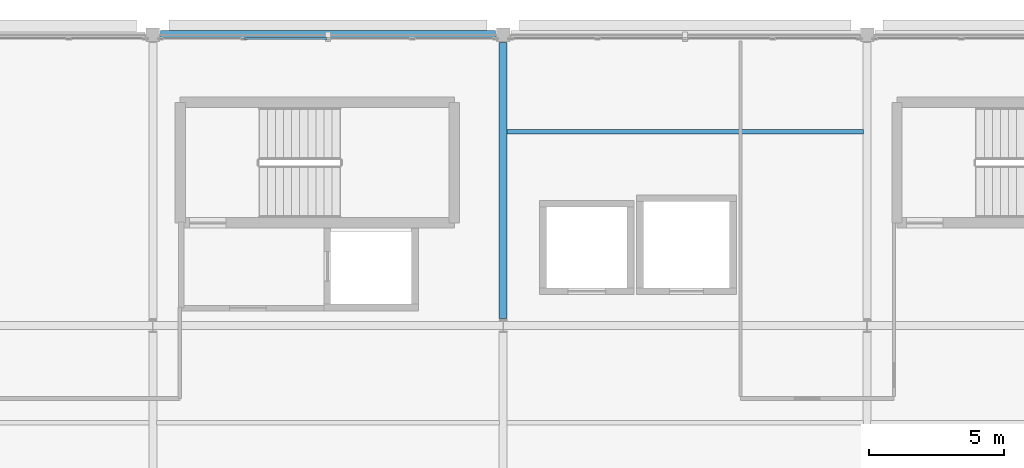
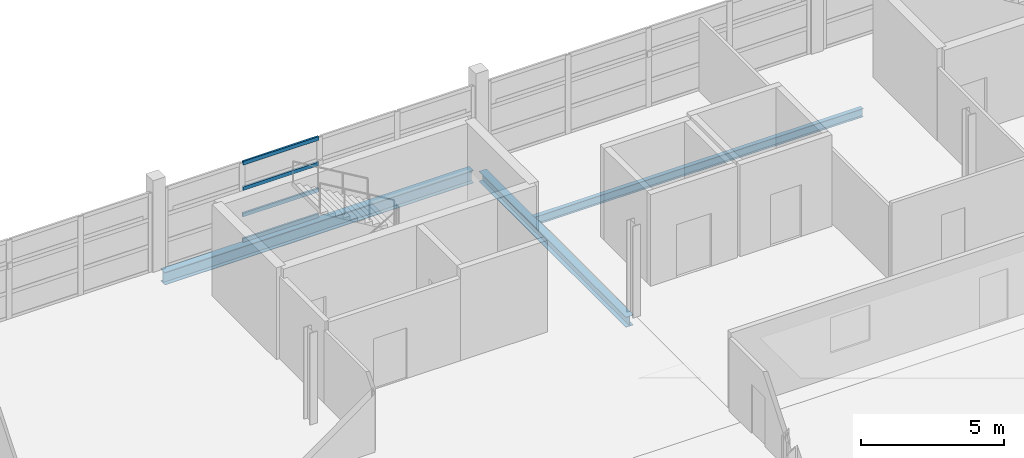
# One storey, part 54 of 110: 4 members, 3 beams, 1 element without a shape of its own.
"""IFC4 building model written with IfcOpenShell, lengths in metres."""

from ifc_helpers import new_model, si_unit, direction, frame, origin, origin_2d, place, context, subcontext, project, spatial, hollow_rectangle, i_section, extrude, material, layer, layer_set, material_profile, profile_set, type_object, element, aggregate, save


model = new_model("IFC4")

# Units and contexts
model_context = context("Model", 3, precision=1e-05, world=origin(), true_north=direction((0.0, 1.0)))
body_context = subcontext(model_context, "Body", "Model", "MODEL_VIEW")
ifc_project = project(units=[si_unit("LENGTHUNIT", "METRE"), si_unit("AREAUNIT", "SQUARE_METRE"), si_unit("VOLUMEUNIT", "CUBIC_METRE"), si_unit("PLANEANGLEUNIT", "RADIAN"), si_unit("MASSUNIT", "GRAM", prefix="KILO")], contexts=[model_context])

# Site, building, storey
site_placement = place(None, origin())
site = spatial("IfcSite", under=ifc_project, at=site_placement, CompositionType="ELEMENT")
building_placement = place(site_placement, origin())
building = spatial("IfcBuilding", under=site, at=building_placement, Name="Tamarisk Ironworks Central Station", CompositionType="ELEMENT")
storey_placement = place(building_placement, frame((0.0, 0.0, 17.39990234375)))
storey = spatial("IfcBuildingStorey", under=building, at=storey_placement, Name="L03", CompositionType="ELEMENT", Elevation=17.39990234375)

# Beams
ifc_material_1 = material(Name="Structural steel S355J2", Category="steel")
ifc_material_profile_1 = material_profile(ifc_material_1, i_section(OverallWidth=0.169921875, OverallDepth=0.360107421875, WebThickness=0.008056640625, FlangeThickness=0.0126953125, at=origin_2d()), Name="IPE 360")
ifc_profile_set_1 = profile_set([ifc_material_profile_1], Name="Structural steel S355J2")
beam_type_1 = type_object("IfcBeamType", Name="BM-B05", PredefinedType="BEAM", material=ifc_profile_set_1)
beam_1_placement = place(storey_placement, frame((153.135009765625, 118.800048828125, -0.429931640625), z_axis=(1.0, 0.0, 0.0), x_axis=(0.0, 1.0, 0.0)))
element("IfcBeam", 1, at=beam_1_placement, inside=storey, type_object=beam_type_1, Name="L03 secondary composite beam 0213", PredefinedType="BEAM", context=body_context, shape_type="SweptSolid", body=[
    extrude(i_section(OverallWidth=0.169921875, OverallDepth=0.360107421875, WebThickness=0.008056640625, FlangeThickness=0.0126953125, at=origin_2d()), origin(), (0.0, 0.0, 1.0), 13.22998046875),
])
ifc_material_profile_2 = material_profile(ifc_material_1, i_section(OverallWidth=0.300048828125, OverallDepth=0.5400390625, WebThickness=0.012451171875, FlangeThickness=0.02392578125, at=origin_2d()), Name="HEA 550")
ifc_profile_set_2 = profile_set([ifc_material_profile_2], Name="Structural steel S355J2")
beam_type_2 = type_object("IfcBeamType", Name="BM-G04", PredefinedType="BEAM", material=ifc_profile_set_2)
beam_2_placement = place(storey_placement, frame((140.2880859375, 122.39990234375, -0.52001953125), z_axis=(1.0, 0.0, 0.0), x_axis=(0.0, 1.0, 0.0)))
element("IfcBeam", 2, at=beam_2_placement, inside=storey, type_object=beam_type_2, Name="L03 primary girder X-0664", PredefinedType="BEAM", context=body_context, shape_type="SweptSolid", body=[
    extrude(i_section(OverallWidth=0.300048828125, OverallDepth=0.5400390625, WebThickness=0.012451171875, FlangeThickness=0.02392578125, at=origin_2d()), origin(), (0.0, 0.0, 1.0), 12.423828125),
])
ifc_material_profile_3 = material_profile(ifc_material_1, i_section(OverallWidth=0.300048828125, OverallDepth=0.43994140625, WebThickness=0.011474609375, FlangeThickness=0.02099609375, at=origin_2d()), Name="HEA 450")
ifc_profile_set_3 = profile_set([ifc_material_profile_3], Name="Structural steel S355J2")
beam_type_3 = type_object("IfcBeamType", Name="BM-G06", PredefinedType="BEAM", material=ifc_profile_set_3)
beam_3_placement = place(storey_placement, frame((153.0, 111.863037109375, -0.469970703125), z_axis=(0.0, 1.0, 0.0), x_axis=(-1.0, 0.0, 0.0)))
element("IfcBeam", 3, at=beam_3_placement, inside=storey, type_object=beam_type_3, Name="L03 primary girder Y-0694", PredefinedType="BEAM", context=body_context, shape_type="SweptSolid", body=[
    extrude(i_section(OverallWidth=0.300048828125, OverallDepth=0.43994140625, WebThickness=0.011474609375, FlangeThickness=0.02099609375, at=origin_2d()), origin(), (0.0, 0.0, 1.0), 10.2490234375),
])

# Curtain wall, members
ifc_material_2 = material(Name="Anodized aluminium alloy 6063-T6", Category="aluminium")
ifc_layer = layer(ifc_material_2, 0.179931640625)
ifc_layer_set = layer_set([ifc_layer], Name="Anodized aluminium alloy 6063-T6")
curtain_wall_type = type_object("IfcCurtainWallType", Name="CW-18", PredefinedType="USERDEFINED", material=ifc_layer_set)
curtain_wall_placement = place(storey_placement, origin())
curtain_wall = element("IfcCurtainWall", 4, at=curtain_wall_placement, inside=storey, type_object=curtain_wall_type, Name="Operations L03 north facade curtain wall 140", ObjectType="GLAZED CURTAIN WALL", PredefinedType="USERDEFINED")
ifc_material_profile_4 = material_profile(ifc_material_2, hollow_rectangle(XDim=0.074951171875, YDim=0.159912109375, WallThickness=0.00390625, at=origin_2d()), Name="ALUM 160x75")
ifc_profile_set_4 = profile_set([ifc_material_profile_4], Name="Anodized aluminium alloy 6063-T6")
member_type = type_object("IfcMemberType", Name="CWT-01", PredefinedType="USERDEFINED", material=ifc_profile_set_4)
member_1_placement = place(storey_placement, frame((143.407470703125, 122.25, 0.03759765625), z_axis=(1.0, 0.0, 0.0), x_axis=(0.0, 1.0, 0.0)))
member_1 = element("IfcMember", 5, at=member_1_placement, type_object=member_type, Name="CW18 transom 2.1", ObjectType="TRANSOM", PredefinedType="USERDEFINED", context=body_context, shape_type="SweptSolid", body=[
    extrude(hollow_rectangle(XDim=0.074951171875, YDim=0.159912109375, WallThickness=0.00390625, at=origin_2d()), origin(), (0.0, 0.0, 1.0), 3.05908203125),
])
member_2_placement = place(storey_placement, frame((143.407470703125, 122.25, 1.1201171875), z_axis=(1.0, 0.0, 0.0), x_axis=(0.0, 1.0, 0.0)))
member_2 = element("IfcMember", 6, at=member_2_placement, type_object=member_type, Name="CW18 transom 2.2", ObjectType="TRANSOM", PredefinedType="USERDEFINED", context=body_context, shape_type="SweptSolid", body=[
    extrude(hollow_rectangle(XDim=0.074951171875, YDim=0.159912109375, WallThickness=0.00390625, at=origin_2d()), origin(), (0.0, 0.0, 1.0), 3.05908203125),
])
member_3_placement = place(storey_placement, frame((143.407470703125, 122.25, 2.239990234375), z_axis=(1.0, 0.0, 0.0), x_axis=(0.0, 1.0, 0.0)))
member_3 = element("IfcMember", 7, at=member_3_placement, type_object=member_type, Name="CW18 transom 2.3", ObjectType="TRANSOM", PredefinedType="USERDEFINED", context=body_context, shape_type="SweptSolid", body=[
    extrude(hollow_rectangle(XDim=0.074951171875, YDim=0.159912109375, WallThickness=0.00390625, at=origin_2d()), origin(), (0.0, 0.0, 1.0), 3.05908203125),
])
member_4_placement = place(storey_placement, frame((143.407470703125, 122.25, 3.322509765625), z_axis=(1.0, 0.0, 0.0), x_axis=(0.0, 1.0, 0.0)))
member_4 = element("IfcMember", 8, at=member_4_placement, type_object=member_type, Name="CW18 transom 2.4", ObjectType="TRANSOM", PredefinedType="USERDEFINED", context=body_context, shape_type="SweptSolid", body=[
    extrude(hollow_rectangle(XDim=0.074951171875, YDim=0.159912109375, WallThickness=0.00390625, at=origin_2d()), origin(), (0.0, 0.0, 1.0), 3.05908203125),
])
aggregate(curtain_wall, [member_1, member_2, member_3, member_4])

save(model, "model.ifc")
